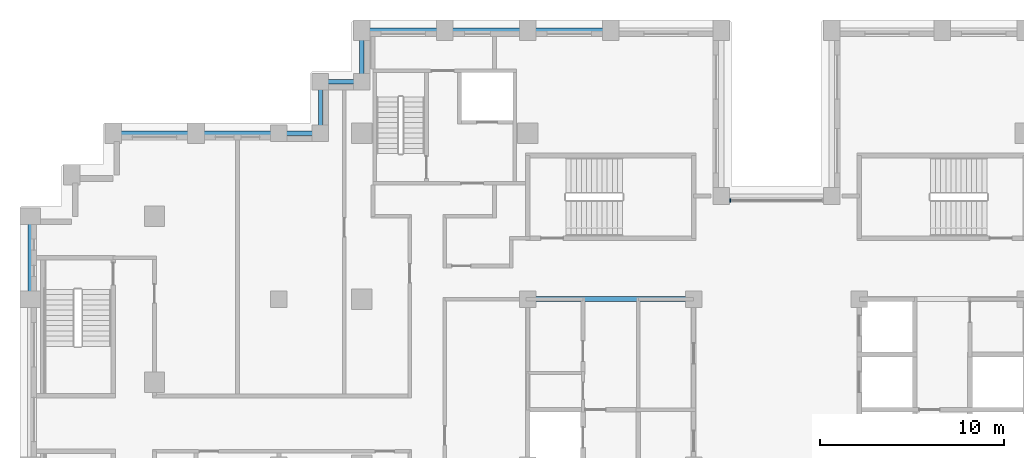
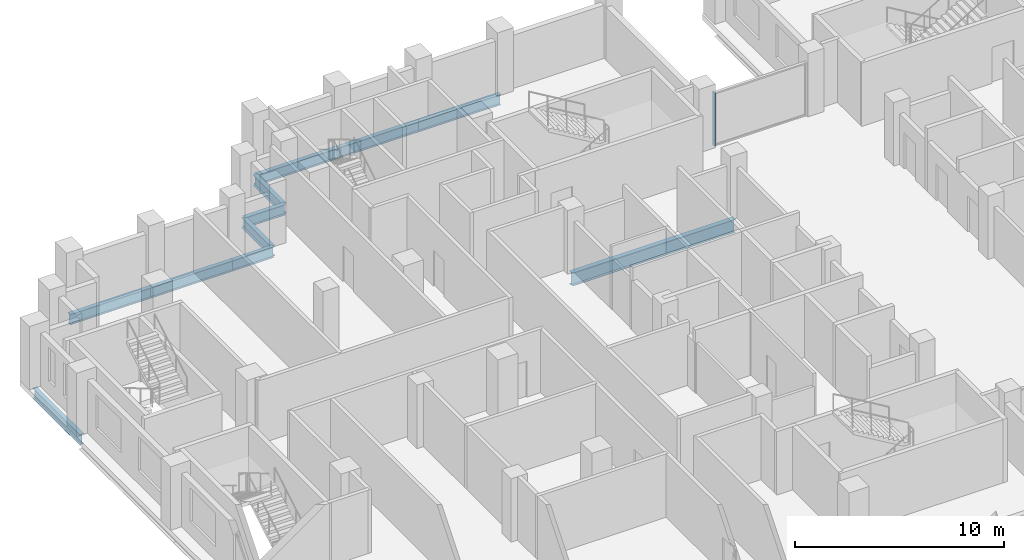
# One storey, part 3 of 16: 11 beams, 1 member, 1 element without a shape of its own.
"""IFC4 building model written with IfcOpenShell, lengths in metres."""

from ifc_helpers import new_model, si_unit, direction, frame, origin, origin_2d, place, context, subcontext, project, spatial, rectangle, i_section, extrude, material, layer, layer_set, material_profile, profile_set, type_object, element, aggregate, save


model = new_model("IFC4")

# Units and contexts
model_context = context("Model", 3, precision=1e-05, world=origin(), true_north=direction((0.0, 1.0)))
body_context = subcontext(model_context, "Body", "Model", "MODEL_VIEW")
ifc_project = project(units=[si_unit("LENGTHUNIT", "METRE"), si_unit("AREAUNIT", "SQUARE_METRE"), si_unit("VOLUMEUNIT", "CUBIC_METRE"), si_unit("PLANEANGLEUNIT", "RADIAN"), si_unit("MASSUNIT", "GRAM", prefix="KILO")], contexts=[model_context])

# Site, building, storey
site_placement = place(None, origin())
site = spatial("IfcSite", under=ifc_project, at=site_placement, CompositionType="ELEMENT")
building_placement = place(site_placement, origin())
building = spatial("IfcBuilding", under=site, at=building_placement, Name="Corbelhall Arena Tower", CompositionType="ELEMENT")
storey_placement = place(building_placement, frame((0.0, 0.0, 158.0)))
storey = spatial("IfcBuildingStorey", under=building, at=storey_placement, Name="L31", CompositionType="ELEMENT", Elevation=158.0)

# Curtain wall, member
ifc_material_1 = material(Name="Aluminium black anodised", Category="aluminium")
ifc_layer = layer(ifc_material_1, 0.199951171875)
ifc_layer_set = layer_set([ifc_layer], Name="EV-CW1 Slot back wall")
curtain_wall_type = type_object("IfcCurtainWallType", Name="EV-CW1 Slot back wall", PredefinedType="NOTDEFINED", material=ifc_layer_set)
curtain_wall_placement = place(storey_placement, origin())
curtain_wall = element("IfcCurtainWall", 1, at=curtain_wall_placement, inside=storey, type_object=curtain_wall_type, Name="Curtain wall CW1", PredefinedType="NOTDEFINED")
ifc_material_profile_1 = material_profile(ifc_material_1, rectangle(XDim=0.199951171875, YDim=0.074951171875, at=origin_2d()))
ifc_profile_set_1 = profile_set([ifc_material_profile_1], Name="Aluminium black anodised")
member_type = type_object("IfcMemberType", Name="EV-CW1-MULLION", PredefinedType="MULLION", material=ifc_profile_set_1)
member_placement = place(storey_placement, frame((-2.512451171875, 14.35009765625, 0.0), z_axis=(0.0, 0.0, 1.0), x_axis=(0.0, -1.0, 0.0)))
member = element("IfcMember", 2, at=member_placement, type_object=member_type, Name="CW1 mullion 2", PredefinedType="MULLION", context=body_context, shape_type="SweptSolid", body=[
    extrude(rectangle(XDim=0.199951171875, YDim=0.074951171875, at=origin_2d()), origin(), (0.0, 0.0, 1.0), 3.10009765625),
])
aggregate(curtain_wall, [member])

# Beams
ifc_material_2 = material(Name="Steel ASTM A992 Gr50", Category="steel")
ifc_material_profile_2 = material_profile(ifc_material_2, i_section(OverallWidth=0.2666015625, OverallDepth=0.761962890625, WebThickness=0.014404296875, FlangeThickness=0.021484375, at=origin_2d()))
ifc_profile_set_2 = profile_set([ifc_material_profile_2], Name="Steel ASTM A992 Gr50")
beam_type_1 = type_object("IfcBeamType", Name="ST-BEAM-W30x116", PredefinedType="BEAM", material=ifc_profile_set_2)
beam_1_placement = place(storey_placement, frame((-13.5, 9.0, -0.680908203125), z_axis=(1.0, 0.0, 0.0), x_axis=(0.0, 1.0, 0.0)))
element("IfcBeam", 3, at=beam_1_placement, inside=storey, type_object=beam_type_1, Name="Beam CEW 6", PredefinedType="BEAM", context=body_context, shape_type="SweptSolid", body=[
    extrude(i_section(OverallWidth=0.2666015625, OverallDepth=0.761962890625, WebThickness=0.014404296875, FlangeThickness=0.021484375, at=origin_2d()), origin(), (0.0, 0.0, 1.0), 9.0),
])
ifc_material_profile_3 = material_profile(ifc_material_2, i_section(OverallWidth=0.22900390625, OverallDepth=0.612060546875, WebThickness=0.011962890625, FlangeThickness=0.01953125, at=origin_2d()))
ifc_profile_set_3 = profile_set([ifc_material_profile_3], Name="Steel ASTM A992 Gr50")
beam_type_2 = type_object("IfcBeamType", Name="ST-SPANDREL-W24x84", PredefinedType="SPANDREL", material=ifc_profile_set_3)
for number, where, z_axis, x_axis, name in (
    (4, (-40.5, 9.0, -0.60595703125), (0.0, 1.0, 0.0), (-1.0, 0.0, 0.0), "Beam SP 2"),
    (5, (-31.5, 18.0, -0.60595703125), (1.0, 0.0, 0.0), (0.0, 1.0, 0.0), "Beam SP 5"),
    (6, (-36.0, 18.0, -0.60595703125), (1.0, 0.0, 0.0), (0.0, 1.0, 0.0), "Beam SP 6"),
    (7, (-13.5, 23.60009765625, -0.60595703125), (1.0, 0.0, 0.0), (0.0, 1.0, 0.0), "Beam SP 24"),
    (8, (-18.0, 23.60009765625, -0.60595703125), (1.0, 0.0, 0.0), (0.0, 1.0, 0.0), "Beam SP 25"),
    (9, (-22.5, 23.60009765625, -0.60595703125), (1.0, 0.0, 0.0), (0.0, 1.0, 0.0), "Beam SP 26"),
):
    element("IfcBeam", number, at=place(storey_placement, frame(where, z_axis=z_axis, x_axis=x_axis)), inside=storey, type_object=beam_type_2, Name=name, PredefinedType="SPANDREL", context=body_context, shape_type="SweptSolid", body=[
        extrude(i_section(OverallWidth=0.22900390625, OverallDepth=0.612060546875, WebThickness=0.011962890625, FlangeThickness=0.01953125, at=origin_2d()), origin(), (0.0, 0.0, 1.0), 4.5),
    ])
beam_2_placement = place(storey_placement, frame((-27.0, 18.0, -0.60595703125), z_axis=(1.0, 0.0, 0.0), x_axis=(0.0, 1.0, 0.0)))
element("IfcBeam", 10, at=beam_2_placement, inside=storey, type_object=beam_type_2, Name="Beam SP 37", PredefinedType="SPANDREL", context=body_context, shape_type="SweptSolid", body=[
    extrude(i_section(OverallWidth=0.22900390625, OverallDepth=0.612060546875, WebThickness=0.011962890625, FlangeThickness=0.01953125, at=origin_2d()), origin(), (0.0, 0.0, 1.0), 2.25),
])
beam_3_placement = place(storey_placement, frame((-22.5, 20.800048828125, -0.60595703125), z_axis=(0.0, 1.0, 0.0), x_axis=(-1.0, 0.0, 0.0)))
element("IfcBeam", 11, at=beam_3_placement, inside=storey, type_object=beam_type_2, Name="Beam SP 46", PredefinedType="SPANDREL", context=body_context, shape_type="SweptSolid", body=[
    extrude(i_section(OverallWidth=0.22900390625, OverallDepth=0.612060546875, WebThickness=0.011962890625, FlangeThickness=0.01953125, at=origin_2d()), origin(), (0.0, 0.0, 1.0), 2.800048828125),
])
beam_4_placement = place(storey_placement, frame((-24.75, 20.800048828125, -0.60595703125), z_axis=(1.0, 0.0, 0.0), x_axis=(0.0, 1.0, 0.0)))
element("IfcBeam", 12, at=beam_4_placement, inside=storey, type_object=beam_type_2, Name="Beam SP 47", PredefinedType="SPANDREL", context=body_context, shape_type="SweptSolid", body=[
    extrude(i_section(OverallWidth=0.22900390625, OverallDepth=0.612060546875, WebThickness=0.011962890625, FlangeThickness=0.01953125, at=origin_2d()), origin(), (0.0, 0.0, 1.0), 2.25),
])
beam_5_placement = place(storey_placement, frame((-24.75, 18.0, -0.60595703125), z_axis=(0.0, 1.0, 0.0), x_axis=(-1.0, 0.0, 0.0)))
element("IfcBeam", 13, at=beam_5_placement, inside=storey, type_object=beam_type_2, Name="Beam SP 48", PredefinedType="SPANDREL", context=body_context, shape_type="SweptSolid", body=[
    extrude(i_section(OverallWidth=0.22900390625, OverallDepth=0.612060546875, WebThickness=0.011962890625, FlangeThickness=0.01953125, at=origin_2d()), origin(), (0.0, 0.0, 1.0), 2.800048828125),
])

save(model, "model.ifc")
